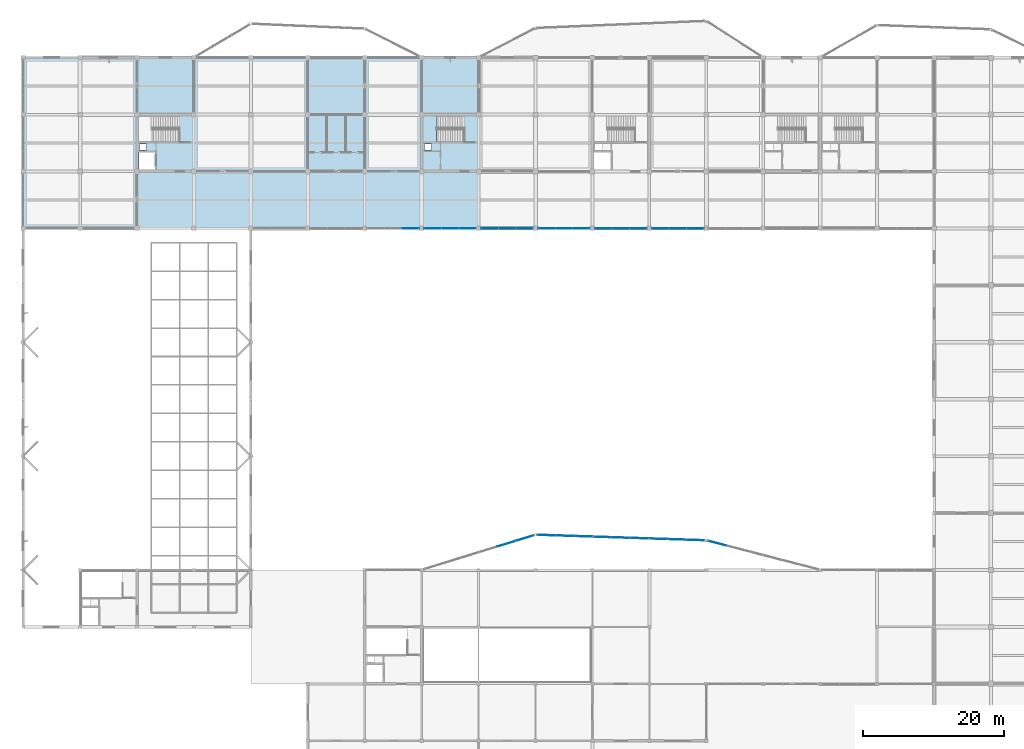
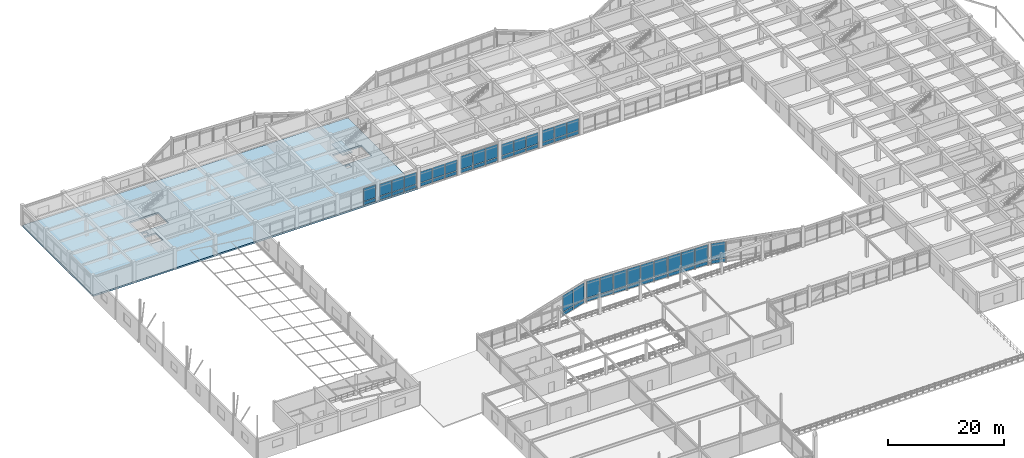
# One storey, part 54 of 89: 56 plates, 2 slabs, 12 elements without a shape of their own.
"""IFC4 building model written with IfcOpenShell, lengths in metres."""

from ifc_helpers import new_model, si_unit, direction, frame, origin, origin_2d, place, context, subcontext, project, spatial, polyline, rectangle, outline, extrude, material, layer, layer_set, type_object, element, aggregate, save


model = new_model("IFC4")

# Units and contexts
model_context = context("Model", 3, precision=1e-05, world=origin(), true_north=direction((0.0, 1.0)))
body_context = subcontext(model_context, "Body", "Model", "MODEL_VIEW")
ifc_project = project(units=[si_unit("LENGTHUNIT", "METRE"), si_unit("AREAUNIT", "SQUARE_METRE"), si_unit("VOLUMEUNIT", "CUBIC_METRE"), si_unit("PLANEANGLEUNIT", "RADIAN"), si_unit("MASSUNIT", "GRAM", prefix="KILO")], contexts=[model_context])

# Site, building, storey
site_placement = place(None, origin())
site = spatial("IfcSite", under=ifc_project, at=site_placement, CompositionType="ELEMENT")
building_placement = place(site_placement, origin())
building = spatial("IfcBuilding", under=site, at=building_placement, Name="Vaudrelin Polytechnic", CompositionType="ELEMENT")
storey_placement = place(building_placement, frame((0.0, 0.0, 9.68994140625)))
storey = spatial("IfcBuildingStorey", under=building, at=storey_placement, Name="L02", CompositionType="ELEMENT", Elevation=9.68994140625)

# Curtain wall, plate
ifc_material_1 = material(Name="Thermally broken anodised aluminium AA 6063-T6 and low-e triple glazing", Category="aluminium")
ifc_layer_1 = layer(ifc_material_1, 0.199951171875)
ifc_layer_set_1 = layer_set([ifc_layer_1], Name="Thermally broken anodised aluminium AA 6063-T6 and low-e triple glazing")
curtain_wall_type_1 = type_object("IfcCurtainWallType", Name="CW-CW-LIB", PredefinedType="USERDEFINED", material=ifc_layer_set_1)
curtain_wall_1_placement = place(storey_placement, origin())
curtain_wall_1 = element("IfcCurtainWall", 1, at=curtain_wall_1_placement, inside=storey, type_object=curtain_wall_type_1, Name="Curtain wall L02 CT_N_02", ObjectType="CURTAIN WALL", PredefinedType="USERDEFINED")
ifc_material_2 = material(Name="Insulated ceramic-frit spandrel glass panel", Category="glass")
ifc_layer_2 = layer(ifc_material_2, 0.052001953125)
ifc_layer_set_2 = layer_set([ifc_layer_2], Name="Insulated ceramic-frit spandrel glass panel")
plate_type_1 = type_object("IfcPlateType", Name="PLT-GLZ-SPAND", PredefinedType="CURTAIN_PANEL", material=ifc_layer_set_2)
plate_1_placement = place(storey_placement, frame((55.134765625, 97.199951171875, 0.08984375), z_axis=(0.0, 0.0, 1.0), x_axis=(1.0, 0.0, 0.0)))
plate_1 = element("IfcPlate", 2, at=plate_1_placement, type_object=plate_type_1, Name="CT_N_02 spandrel panel 3", PredefinedType="CURTAIN_PANEL", context=body_context, shape_type="SweptSolid", body=[
    extrude(rectangle(XDim=2.384765625, YDim=0.052001953125, at=origin_2d()), origin(), (0.0, 0.0, 1.0), 0.699951171875),
])

# Curtain wall, plates
curtain_wall_2_placement = place(storey_placement, origin())
curtain_wall_2 = element("IfcCurtainWall", 3, at=curtain_wall_2_placement, inside=storey, type_object=curtain_wall_type_1, Name="Curtain wall L02 CT_N_03", ObjectType="CURTAIN WALL", PredefinedType="USERDEFINED")
plate_2_placement = place(storey_placement, frame((58.265380859375, 97.199951171875, 0.08984375), z_axis=(0.0, 0.0, 1.0), x_axis=(1.0, 0.0, 0.0)))
plate_2 = element("IfcPlate", 4, at=plate_2_placement, type_object=plate_type_1, Name="CT_N_03 spandrel panel 1", PredefinedType="CURTAIN_PANEL", context=body_context, shape_type="SweptSolid", body=[
    extrude(rectangle(XDim=2.384765625, YDim=0.052001953125, at=origin_2d()), origin(), (0.0, 0.0, 1.0), 0.699951171875),
])
plate_3_placement = place(storey_placement, frame((60.75, 97.199951171875, 0.08984375), z_axis=(0.0, 0.0, 1.0), x_axis=(1.0, 0.0, 0.0)))
plate_3 = element("IfcPlate", 5, at=plate_3_placement, type_object=plate_type_1, Name="CT_N_03 spandrel panel 2", PredefinedType="CURTAIN_PANEL", context=body_context, shape_type="SweptSolid", body=[
    extrude(rectangle(XDim=2.384765625, YDim=0.052001953125, at=origin_2d()), origin(), (0.0, 0.0, 1.0), 0.699951171875),
])
plate_4_placement = place(storey_placement, frame((63.234619140625, 97.199951171875, 0.08984375), z_axis=(0.0, 0.0, 1.0), x_axis=(1.0, 0.0, 0.0)))
plate_4 = element("IfcPlate", 6, at=plate_4_placement, type_object=plate_type_1, Name="CT_N_03 spandrel panel 3", PredefinedType="CURTAIN_PANEL", context=body_context, shape_type="SweptSolid", body=[
    extrude(rectangle(XDim=2.384765625, YDim=0.052001953125, at=origin_2d()), origin(), (0.0, 0.0, 1.0), 0.699951171875),
])

curtain_wall_3_placement = place(storey_placement, origin())
curtain_wall_3 = element("IfcCurtainWall", 7, at=curtain_wall_3_placement, inside=storey, type_object=curtain_wall_type_1, Name="Curtain wall L02 CT_N_04", ObjectType="CURTAIN WALL", PredefinedType="USERDEFINED")
plate_5_placement = place(storey_placement, frame((66.365234375, 97.199951171875, 0.08984375), z_axis=(0.0, 0.0, 1.0), x_axis=(1.0, 0.0, 0.0)))
plate_5 = element("IfcPlate", 8, at=plate_5_placement, type_object=plate_type_1, Name="CT_N_04 spandrel panel 1", PredefinedType="CURTAIN_PANEL", context=body_context, shape_type="SweptSolid", body=[
    extrude(rectangle(XDim=2.384765625, YDim=0.052001953125, at=origin_2d()), origin(), (0.0, 0.0, 1.0), 0.699951171875),
])
plate_6_placement = place(storey_placement, frame((68.85009765625, 97.199951171875, 0.08984375), z_axis=(0.0, 0.0, 1.0), x_axis=(1.0, 0.0, 0.0)))
plate_6 = element("IfcPlate", 9, at=plate_6_placement, type_object=plate_type_1, Name="CT_N_04 spandrel panel 2", PredefinedType="CURTAIN_PANEL", context=body_context, shape_type="SweptSolid", body=[
    extrude(rectangle(XDim=2.384765625, YDim=0.052001953125, at=origin_2d()), origin(), (0.0, 0.0, 1.0), 0.699951171875),
])
plate_7_placement = place(storey_placement, frame((71.334716796875, 97.199951171875, 0.08984375), z_axis=(0.0, 0.0, 1.0), x_axis=(1.0, 0.0, 0.0)))
plate_7 = element("IfcPlate", 10, at=plate_7_placement, type_object=plate_type_1, Name="CT_N_04 spandrel panel 3", PredefinedType="CURTAIN_PANEL", context=body_context, shape_type="SweptSolid", body=[
    extrude(rectangle(XDim=2.384765625, YDim=0.052001953125, at=origin_2d()), origin(), (0.0, 0.0, 1.0), 0.699951171875),
])

curtain_wall_4_placement = place(storey_placement, origin())
curtain_wall_4 = element("IfcCurtainWall", 11, at=curtain_wall_4_placement, inside=storey, type_object=curtain_wall_type_1, Name="Curtain wall L02 CT_N_05", ObjectType="CURTAIN WALL", PredefinedType="USERDEFINED")
plate_8_placement = place(storey_placement, frame((74.46533203125, 97.199951171875, 0.08984375), z_axis=(0.0, 0.0, 1.0), x_axis=(1.0, 0.0, 0.0)))
plate_8 = element("IfcPlate", 12, at=plate_8_placement, type_object=plate_type_1, Name="CT_N_05 spandrel panel 1", PredefinedType="CURTAIN_PANEL", context=body_context, shape_type="SweptSolid", body=[
    extrude(rectangle(XDim=2.384765625, YDim=0.052001953125, at=origin_2d()), origin(), (0.0, 0.0, 1.0), 0.699951171875),
])
plate_9_placement = place(storey_placement, frame((76.949951171875, 97.199951171875, 0.08984375), z_axis=(0.0, 0.0, 1.0), x_axis=(1.0, 0.0, 0.0)))
plate_9 = element("IfcPlate", 13, at=plate_9_placement, type_object=plate_type_1, Name="CT_N_05 spandrel panel 2", PredefinedType="CURTAIN_PANEL", context=body_context, shape_type="SweptSolid", body=[
    extrude(rectangle(XDim=2.384765625, YDim=0.052001953125, at=origin_2d()), origin(), (0.0, 0.0, 1.0), 0.699951171875),
])
plate_10_placement = place(storey_placement, frame((79.434814453125, 97.199951171875, 0.08984375), z_axis=(0.0, 0.0, 1.0), x_axis=(1.0, 0.0, 0.0)))
plate_10 = element("IfcPlate", 14, at=plate_10_placement, type_object=plate_type_1, Name="CT_N_05 spandrel panel 3", PredefinedType="CURTAIN_PANEL", context=body_context, shape_type="SweptSolid", body=[
    extrude(rectangle(XDim=2.384765625, YDim=0.052001953125, at=origin_2d()), origin(), (0.0, 0.0, 1.0), 0.699951171875),
])

curtain_wall_5_placement = place(storey_placement, origin())
curtain_wall_5 = element("IfcCurtainWall", 15, at=curtain_wall_5_placement, inside=storey, type_object=curtain_wall_type_1, Name="Curtain wall L02 CT_N_06", ObjectType="CURTAIN WALL", PredefinedType="USERDEFINED")
plate_11_placement = place(storey_placement, frame((82.565185546875, 97.199951171875, 0.08984375), z_axis=(0.0, 0.0, 1.0), x_axis=(1.0, 0.0, 0.0)))
plate_11 = element("IfcPlate", 16, at=plate_11_placement, type_object=plate_type_1, Name="CT_N_06 spandrel panel 1", PredefinedType="CURTAIN_PANEL", context=body_context, shape_type="SweptSolid", body=[
    extrude(rectangle(XDim=2.384765625, YDim=0.052001953125, at=origin_2d()), origin(), (0.0, 0.0, 1.0), 0.699951171875),
])
plate_12_placement = place(storey_placement, frame((85.050048828125, 97.199951171875, 0.08984375), z_axis=(0.0, 0.0, 1.0), x_axis=(1.0, 0.0, 0.0)))
plate_12 = element("IfcPlate", 17, at=plate_12_placement, type_object=plate_type_1, Name="CT_N_06 spandrel panel 2", PredefinedType="CURTAIN_PANEL", context=body_context, shape_type="SweptSolid", body=[
    extrude(rectangle(XDim=2.384765625, YDim=0.052001953125, at=origin_2d()), origin(), (0.0, 0.0, 1.0), 0.699951171875),
])
plate_13_placement = place(storey_placement, frame((87.53466796875, 97.199951171875, 0.08984375), z_axis=(0.0, 0.0, 1.0), x_axis=(1.0, 0.0, 0.0)))
plate_13 = element("IfcPlate", 18, at=plate_13_placement, type_object=plate_type_1, Name="CT_N_06 spandrel panel 3", PredefinedType="CURTAIN_PANEL", context=body_context, shape_type="SweptSolid", body=[
    extrude(rectangle(XDim=2.384765625, YDim=0.052001953125, at=origin_2d()), origin(), (0.0, 0.0, 1.0), 0.699951171875),
])

curtain_wall_6_placement = place(storey_placement, origin())
curtain_wall_6 = element("IfcCurtainWall", 19, at=curtain_wall_6_placement, inside=storey, type_object=curtain_wall_type_1, Name="Curtain wall L02 CT_N_07", ObjectType="CURTAIN WALL", PredefinedType="USERDEFINED")
plate_14_placement = place(storey_placement, frame((90.665283203125, 97.199951171875, 0.08984375), z_axis=(0.0, 0.0, 1.0), x_axis=(1.0, 0.0, 0.0)))
plate_14 = element("IfcPlate", 20, at=plate_14_placement, type_object=plate_type_1, Name="CT_N_07 spandrel panel 1", PredefinedType="CURTAIN_PANEL", context=body_context, shape_type="SweptSolid", body=[
    extrude(rectangle(XDim=2.384765625, YDim=0.052001953125, at=origin_2d()), origin(), (0.0, 0.0, 1.0), 0.699951171875),
])
plate_15_placement = place(storey_placement, frame((93.14990234375, 97.199951171875, 0.08984375), z_axis=(0.0, 0.0, 1.0), x_axis=(1.0, 0.0, 0.0)))
plate_15 = element("IfcPlate", 21, at=plate_15_placement, type_object=plate_type_1, Name="CT_N_07 spandrel panel 2", PredefinedType="CURTAIN_PANEL", context=body_context, shape_type="SweptSolid", body=[
    extrude(rectangle(XDim=2.384765625, YDim=0.052001953125, at=origin_2d()), origin(), (0.0, 0.0, 1.0), 0.699951171875),
])
plate_16_placement = place(storey_placement, frame((95.634765625, 97.199951171875, 0.08984375), z_axis=(0.0, 0.0, 1.0), x_axis=(1.0, 0.0, 0.0)))
plate_16 = element("IfcPlate", 22, at=plate_16_placement, type_object=plate_type_1, Name="CT_N_07 spandrel panel 3", PredefinedType="CURTAIN_PANEL", context=body_context, shape_type="SweptSolid", body=[
    extrude(rectangle(XDim=2.384765625, YDim=0.052001953125, at=origin_2d()), origin(), (0.0, 0.0, 1.0), 0.699951171875),
])

ifc_layer_3 = layer(ifc_material_1, 0.199951171875)
ifc_layer_set_3 = layer_set([ifc_layer_3], Name="Thermally broken anodised aluminium AA 6063-T6 and low-e triple glazing")
curtain_wall_type_2 = type_object("IfcCurtainWallType", Name="CW-CW-WG", PredefinedType="USERDEFINED", material=ifc_layer_set_3)
curtain_wall_7_placement = place(storey_placement, origin())
curtain_wall_7 = element("IfcCurtainWall", 23, at=curtain_wall_7_placement, inside=storey, type_object=curtain_wall_type_2, Name="Curtain wall L02 CT_OR1_1_1", ObjectType="CURTAIN WALL", PredefinedType="USERDEFINED")
plate_17_placement = place(storey_placement, frame((68.751220703125, 52.319580078125, -0.5400390625), z_axis=(0.0, 0.0, 1.0), x_axis=(0.955522441596, 0.294918401608, 0.0)))
plate_17 = element("IfcPlate", 24, at=plate_17_placement, type_object=plate_type_1, Name="CT_OR1_1_1 spandrel panel 2", PredefinedType="CURTAIN_PANEL", context=body_context, shape_type="SweptSolid", body=[
    extrude(rectangle(XDim=2.631591796875, YDim=0.052001953125, at=origin_2d()), origin(), (0.0, 0.0, 1.0), 0.699951171875),
])
plate_18_placement = place(storey_placement, frame((71.361328125, 53.125, -0.5400390625), z_axis=(0.0, 0.0, 1.0), x_axis=(0.955522441596, 0.294918401608, 0.0)))
plate_18 = element("IfcPlate", 25, at=plate_18_placement, type_object=plate_type_1, Name="CT_OR1_1_1 spandrel panel 3", PredefinedType="CURTAIN_PANEL", context=body_context, shape_type="SweptSolid", body=[
    extrude(rectangle(XDim=2.631591796875, YDim=0.052001953125, at=origin_2d()), origin(), (0.0, 0.0, 1.0), 0.699951171875),
])

curtain_wall_8_placement = place(storey_placement, origin())
curtain_wall_8 = element("IfcCurtainWall", 26, at=curtain_wall_8_placement, inside=storey, type_object=curtain_wall_type_2, Name="Curtain wall L02 CT_OR1_2_0", ObjectType="CURTAIN WALL", PredefinedType="USERDEFINED")
plate_19_placement = place(storey_placement, frame((74.461181640625, 53.548583984375, -0.5400390625), z_axis=(0.0, 0.0, 1.0), x_axis=(0.999458331652, -0.032909623096, 0.0)))
plate_19 = element("IfcPlate", 27, at=plate_19_placement, type_object=plate_type_1, Name="CT_OR1_2_0 spandrel panel 1", PredefinedType="CURTAIN_PANEL", context=body_context, shape_type="SweptSolid", body=[
    extrude(rectangle(XDim=2.548583984375, YDim=0.052001953125, at=origin_2d()), origin(), (0.0, 0.0, 1.0), 0.699951171875),
])
plate_20_placement = place(storey_placement, frame((77.1083984375, 53.46142578125, -0.5400390625), z_axis=(0.0, 0.0, 1.0), x_axis=(0.999458331652, -0.032909623096, 0.0)))
plate_20 = element("IfcPlate", 28, at=plate_20_placement, type_object=plate_type_1, Name="CT_OR1_2_0 spandrel panel 2", PredefinedType="CURTAIN_PANEL", context=body_context, shape_type="SweptSolid", body=[
    extrude(rectangle(XDim=2.548583984375, YDim=0.052001953125, at=origin_2d()), origin(), (0.0, 0.0, 1.0), 0.699951171875),
])
plate_21_placement = place(storey_placement, frame((79.755615234375, 53.374267578125, -0.5400390625), z_axis=(0.0, 0.0, 1.0), x_axis=(0.999458331652, -0.032909623096, 0.0)))
plate_21 = element("IfcPlate", 29, at=plate_21_placement, type_object=plate_type_1, Name="CT_OR1_2_0 spandrel panel 3", PredefinedType="CURTAIN_PANEL", context=body_context, shape_type="SweptSolid", body=[
    extrude(rectangle(XDim=2.548583984375, YDim=0.052001953125, at=origin_2d()), origin(), (0.0, 0.0, 1.0), 0.699951171875),
])

curtain_wall_9_placement = place(storey_placement, origin())
curtain_wall_9 = element("IfcCurtainWall", 30, at=curtain_wall_9_placement, inside=storey, type_object=curtain_wall_type_2, Name="Curtain wall L02 CT_OR1_2_1", ObjectType="CURTAIN WALL", PredefinedType="USERDEFINED")
plate_22_placement = place(storey_placement, frame((82.40283203125, 53.287109375, -0.5400390625), z_axis=(0.0, 0.0, 1.0), x_axis=(0.999458731894, -0.032897465558, 0.0)))
plate_22 = element("IfcPlate", 31, at=plate_22_placement, type_object=plate_type_1, Name="CT_OR1_2_1 spandrel panel 1", PredefinedType="CURTAIN_PANEL", context=body_context, shape_type="SweptSolid", body=[
    extrude(rectangle(XDim=2.548583984375, YDim=0.052001953125, at=origin_2d()), origin(), (0.0, 0.0, 1.0), 0.699951171875),
])
plate_23_placement = place(storey_placement, frame((85.050048828125, 53.199951171875, -0.5400390625), z_axis=(0.0, 0.0, 1.0), x_axis=(0.999458731894, -0.032897465558, 0.0)))
plate_23 = element("IfcPlate", 32, at=plate_23_placement, type_object=plate_type_1, Name="CT_OR1_2_1 spandrel panel 2", PredefinedType="CURTAIN_PANEL", context=body_context, shape_type="SweptSolid", body=[
    extrude(rectangle(XDim=2.548583984375, YDim=0.052001953125, at=origin_2d()), origin(), (0.0, 0.0, 1.0), 0.699951171875),
])
plate_24_placement = place(storey_placement, frame((87.697265625, 53.11279296875, -0.5400390625), z_axis=(0.0, 0.0, 1.0), x_axis=(0.999458731894, -0.032897465558, 0.0)))
plate_24 = element("IfcPlate", 33, at=plate_24_placement, type_object=plate_type_1, Name="CT_OR1_2_1 spandrel panel 3", PredefinedType="CURTAIN_PANEL", context=body_context, shape_type="SweptSolid", body=[
    extrude(rectangle(XDim=2.548583984375, YDim=0.052001953125, at=origin_2d()), origin(), (0.0, 0.0, 1.0), 0.699951171875),
])

curtain_wall_10_placement = place(storey_placement, origin())
curtain_wall_10 = element("IfcCurtainWall", 34, at=curtain_wall_10_placement, inside=storey, type_object=curtain_wall_type_2, Name="Curtain wall L02 CT_OR1_2_2", ObjectType="CURTAIN WALL", PredefinedType="USERDEFINED")
plate_25_placement = place(storey_placement, frame((90.344482421875, 53.025634765625, -0.5400390625), z_axis=(0.0, 0.0, 1.0), x_axis=(0.999458331652, -0.032909623096, 0.0)))
plate_25 = element("IfcPlate", 35, at=plate_25_placement, type_object=plate_type_1, Name="CT_OR1_2_2 spandrel panel 1", PredefinedType="CURTAIN_PANEL", context=body_context, shape_type="SweptSolid", body=[
    extrude(rectangle(XDim=2.548583984375, YDim=0.052001953125, at=origin_2d()), origin(), (0.0, 0.0, 1.0), 0.699951171875),
])
plate_26_placement = place(storey_placement, frame((92.99169921875, 52.9384765625, -0.5400390625), z_axis=(0.0, 0.0, 1.0), x_axis=(0.999458331652, -0.032909623096, 0.0)))
plate_26 = element("IfcPlate", 36, at=plate_26_placement, type_object=plate_type_1, Name="CT_OR1_2_2 spandrel panel 2", PredefinedType="CURTAIN_PANEL", context=body_context, shape_type="SweptSolid", body=[
    extrude(rectangle(XDim=2.548583984375, YDim=0.052001953125, at=origin_2d()), origin(), (0.0, 0.0, 1.0), 0.699951171875),
])
plate_27_placement = place(storey_placement, frame((95.638916015625, 52.851318359375, -0.5400390625), z_axis=(0.0, 0.0, 1.0), x_axis=(0.999458331652, -0.032909623096, 0.0)))
plate_27 = element("IfcPlate", 37, at=plate_27_placement, type_object=plate_type_1, Name="CT_OR1_2_2 spandrel panel 3", PredefinedType="CURTAIN_PANEL", context=body_context, shape_type="SweptSolid", body=[
    extrude(rectangle(XDim=2.548583984375, YDim=0.052001953125, at=origin_2d()), origin(), (0.0, 0.0, 1.0), 0.699951171875),
])

# Curtain wall, plate
curtain_wall_11_placement = place(storey_placement, origin())
curtain_wall_11 = element("IfcCurtainWall", 38, at=curtain_wall_11_placement, inside=storey, type_object=curtain_wall_type_2, Name="Curtain wall L02 CT_OR1_3_0", ObjectType="CURTAIN WALL", PredefinedType="USERDEFINED")
plate_28_placement = place(storey_placement, frame((98.739501953125, 52.40087890625, -0.5400390625), z_axis=(0.0, 0.0, 1.0), x_axis=(0.967997343156, -0.250960442388, 0.0)))
plate_28 = element("IfcPlate", 39, at=plate_28_placement, type_object=plate_type_1, Name="CT_OR1_3_0 spandrel panel 1", PredefinedType="CURTAIN_PANEL", context=body_context, shape_type="SweptSolid", body=[
    extrude(rectangle(XDim=2.595947265625, YDim=0.052001953125, at=origin_2d()), origin(), (0.0, 0.0, 1.0), 0.699951171875),
])

# Plate
ifc_material_3 = material(Name="Triple low-e argon insulated glazing unit", Category="glass")
ifc_layer_4 = layer(ifc_material_3, 0.0439453125)
ifc_layer_set_4 = layer_set([ifc_layer_4], Name="Triple low-e argon insulated glazing unit")
plate_type_2 = type_object("IfcPlateType", Name="PLT-GLZ-TRIPLE", PredefinedType="CURTAIN_PANEL", material=ifc_layer_set_4)
plate_29_placement = place(storey_placement, frame((55.134765625, 97.199951171875, 0.900146484375), z_axis=(0.0, 0.0, 1.0), x_axis=(1.0, 0.0, 0.0)))
plate_29 = element("IfcPlate", 40, at=plate_29_placement, type_object=plate_type_2, Name="CT_N_02 vision panel 3", PredefinedType="CURTAIN_PANEL", context=body_context, shape_type="SweptSolid", body=[
    extrude(rectangle(XDim=2.384765625, YDim=0.0439453125, at=origin_2d()), origin(), (0.0, 0.0, 1.0), 2.6669921875),
])

aggregate(curtain_wall_1, [plate_1, plate_29])

plate_30_placement = place(storey_placement, frame((58.265380859375, 97.199951171875, 0.900146484375), z_axis=(0.0, 0.0, 1.0), x_axis=(1.0, 0.0, 0.0)))
plate_30 = element("IfcPlate", 41, at=plate_30_placement, type_object=plate_type_2, Name="CT_N_03 vision panel 1", PredefinedType="CURTAIN_PANEL", context=body_context, shape_type="SweptSolid", body=[
    extrude(rectangle(XDim=2.384765625, YDim=0.0439453125, at=origin_2d()), origin(), (0.0, 0.0, 1.0), 2.48193359375),
])

plate_31_placement = place(storey_placement, frame((60.75, 97.199951171875, 0.900146484375), z_axis=(0.0, 0.0, 1.0), x_axis=(1.0, 0.0, 0.0)))
plate_31 = element("IfcPlate", 42, at=plate_31_placement, type_object=plate_type_2, Name="CT_N_03 vision panel 2", PredefinedType="CURTAIN_PANEL", context=body_context, shape_type="SweptSolid", body=[
    extrude(rectangle(XDim=2.384765625, YDim=0.0439453125, at=origin_2d()), origin(), (0.0, 0.0, 1.0), 2.48193359375),
])

plate_32_placement = place(storey_placement, frame((63.234619140625, 97.199951171875, 0.900146484375), z_axis=(0.0, 0.0, 1.0), x_axis=(1.0, 0.0, 0.0)))
plate_32 = element("IfcPlate", 43, at=plate_32_placement, type_object=plate_type_2, Name="CT_N_03 vision panel 3", PredefinedType="CURTAIN_PANEL", context=body_context, shape_type="SweptSolid", body=[
    extrude(rectangle(XDim=2.384765625, YDim=0.0439453125, at=origin_2d()), origin(), (0.0, 0.0, 1.0), 2.48193359375),
])

aggregate(curtain_wall_2, [plate_2, plate_30, plate_3, plate_31, plate_4, plate_32])

plate_33_placement = place(storey_placement, frame((66.365234375, 97.199951171875, 0.900146484375), z_axis=(0.0, 0.0, 1.0), x_axis=(1.0, 0.0, 0.0)))
plate_33 = element("IfcPlate", 44, at=plate_33_placement, type_object=plate_type_2, Name="CT_N_04 vision panel 1", PredefinedType="CURTAIN_PANEL", context=body_context, shape_type="SweptSolid", body=[
    extrude(rectangle(XDim=2.384765625, YDim=0.0439453125, at=origin_2d()), origin(), (0.0, 0.0, 1.0), 2.2919921875),
])

plate_34_placement = place(storey_placement, frame((68.85009765625, 97.199951171875, 0.900146484375), z_axis=(0.0, 0.0, 1.0), x_axis=(1.0, 0.0, 0.0)))
plate_34 = element("IfcPlate", 45, at=plate_34_placement, type_object=plate_type_2, Name="CT_N_04 vision panel 2", PredefinedType="CURTAIN_PANEL", context=body_context, shape_type="SweptSolid", body=[
    extrude(rectangle(XDim=2.384765625, YDim=0.0439453125, at=origin_2d()), origin(), (0.0, 0.0, 1.0), 2.2919921875),
])

plate_35_placement = place(storey_placement, frame((71.334716796875, 97.199951171875, 0.900146484375), z_axis=(0.0, 0.0, 1.0), x_axis=(1.0, 0.0, 0.0)))
plate_35 = element("IfcPlate", 46, at=plate_35_placement, type_object=plate_type_2, Name="CT_N_04 vision panel 3", PredefinedType="CURTAIN_PANEL", context=body_context, shape_type="SweptSolid", body=[
    extrude(rectangle(XDim=2.384765625, YDim=0.0439453125, at=origin_2d()), origin(), (0.0, 0.0, 1.0), 2.2919921875),
])

aggregate(curtain_wall_3, [plate_5, plate_33, plate_6, plate_34, plate_7, plate_35])

plate_36_placement = place(storey_placement, frame((74.46533203125, 97.199951171875, 0.900146484375), z_axis=(0.0, 0.0, 1.0), x_axis=(1.0, 0.0, 0.0)))
plate_36 = element("IfcPlate", 47, at=plate_36_placement, type_object=plate_type_2, Name="CT_N_05 vision panel 1", PredefinedType="CURTAIN_PANEL", context=body_context, shape_type="SweptSolid", body=[
    extrude(rectangle(XDim=2.384765625, YDim=0.0439453125, at=origin_2d()), origin(), (0.0, 0.0, 1.0), 2.72705078125),
])

plate_37_placement = place(storey_placement, frame((76.949951171875, 97.199951171875, 0.900146484375), z_axis=(0.0, 0.0, 1.0), x_axis=(1.0, 0.0, 0.0)))
plate_37 = element("IfcPlate", 48, at=plate_37_placement, type_object=plate_type_2, Name="CT_N_05 vision panel 2", PredefinedType="CURTAIN_PANEL", context=body_context, shape_type="SweptSolid", body=[
    extrude(rectangle(XDim=2.384765625, YDim=0.0439453125, at=origin_2d()), origin(), (0.0, 0.0, 1.0), 2.72705078125),
])

plate_38_placement = place(storey_placement, frame((79.434814453125, 97.199951171875, 0.900146484375), z_axis=(0.0, 0.0, 1.0), x_axis=(1.0, 0.0, 0.0)))
plate_38 = element("IfcPlate", 49, at=plate_38_placement, type_object=plate_type_2, Name="CT_N_05 vision panel 3", PredefinedType="CURTAIN_PANEL", context=body_context, shape_type="SweptSolid", body=[
    extrude(rectangle(XDim=2.384765625, YDim=0.0439453125, at=origin_2d()), origin(), (0.0, 0.0, 1.0), 2.72705078125),
])

aggregate(curtain_wall_4, [plate_8, plate_36, plate_9, plate_37, plate_10, plate_38])

plate_39_placement = place(storey_placement, frame((82.565185546875, 97.199951171875, 0.89990234375), z_axis=(0.0, 0.0, 1.0), x_axis=(1.0, 0.0, 0.0)))
plate_39 = element("IfcPlate", 50, at=plate_39_placement, type_object=plate_type_2, Name="CT_N_06 vision panel 1", PredefinedType="CURTAIN_PANEL", context=body_context, shape_type="SweptSolid", body=[
    extrude(rectangle(XDim=2.384765625, YDim=0.0439453125, at=origin_2d()), origin(), (0.0, 0.0, 1.0), 2.39208984375),
])

plate_40_placement = place(storey_placement, frame((85.050048828125, 97.199951171875, 0.89990234375), z_axis=(0.0, 0.0, 1.0), x_axis=(1.0, 0.0, 0.0)))
plate_40 = element("IfcPlate", 51, at=plate_40_placement, type_object=plate_type_2, Name="CT_N_06 vision panel 2", PredefinedType="CURTAIN_PANEL", context=body_context, shape_type="SweptSolid", body=[
    extrude(rectangle(XDim=2.384765625, YDim=0.0439453125, at=origin_2d()), origin(), (0.0, 0.0, 1.0), 2.39208984375),
])

plate_41_placement = place(storey_placement, frame((87.53466796875, 97.199951171875, 0.89990234375), z_axis=(0.0, 0.0, 1.0), x_axis=(1.0, 0.0, 0.0)))
plate_41 = element("IfcPlate", 52, at=plate_41_placement, type_object=plate_type_2, Name="CT_N_06 vision panel 3", PredefinedType="CURTAIN_PANEL", context=body_context, shape_type="SweptSolid", body=[
    extrude(rectangle(XDim=2.384765625, YDim=0.0439453125, at=origin_2d()), origin(), (0.0, 0.0, 1.0), 2.39208984375),
])

aggregate(curtain_wall_5, [plate_11, plate_39, plate_12, plate_40, plate_13, plate_41])

plate_42_placement = place(storey_placement, frame((90.665283203125, 97.199951171875, 0.89990234375), z_axis=(0.0, 0.0, 1.0), x_axis=(1.0, 0.0, 0.0)))
plate_42 = element("IfcPlate", 53, at=plate_42_placement, type_object=plate_type_2, Name="CT_N_07 vision panel 1", PredefinedType="CURTAIN_PANEL", context=body_context, shape_type="SweptSolid", body=[
    extrude(rectangle(XDim=2.384765625, YDim=0.0439453125, at=origin_2d()), origin(), (0.0, 0.0, 1.0), 2.491943359375),
])

plate_43_placement = place(storey_placement, frame((93.14990234375, 97.199951171875, 0.89990234375), z_axis=(0.0, 0.0, 1.0), x_axis=(1.0, 0.0, 0.0)))
plate_43 = element("IfcPlate", 54, at=plate_43_placement, type_object=plate_type_2, Name="CT_N_07 vision panel 2", PredefinedType="CURTAIN_PANEL", context=body_context, shape_type="SweptSolid", body=[
    extrude(rectangle(XDim=2.384765625, YDim=0.0439453125, at=origin_2d()), origin(), (0.0, 0.0, 1.0), 2.491943359375),
])

plate_44_placement = place(storey_placement, frame((95.634765625, 97.199951171875, 0.89990234375), z_axis=(0.0, 0.0, 1.0), x_axis=(1.0, 0.0, 0.0)))
plate_44 = element("IfcPlate", 55, at=plate_44_placement, type_object=plate_type_2, Name="CT_N_07 vision panel 3", PredefinedType="CURTAIN_PANEL", context=body_context, shape_type="SweptSolid", body=[
    extrude(rectangle(XDim=2.384765625, YDim=0.0439453125, at=origin_2d()), origin(), (0.0, 0.0, 1.0), 2.491943359375),
])

aggregate(curtain_wall_6, [plate_14, plate_42, plate_15, plate_43, plate_16, plate_44])

plate_45_placement = place(storey_placement, frame((68.751220703125, 52.319580078125, 0.27001953125), z_axis=(0.0, 0.0, 1.0), x_axis=(0.955522441596, 0.294918401608, 0.0)))
plate_45 = element("IfcPlate", 56, at=plate_45_placement, type_object=plate_type_2, Name="CT_OR1_1_1 vision panel 2", PredefinedType="CURTAIN_PANEL", context=body_context, shape_type="SweptSolid", body=[
    extrude(rectangle(XDim=2.631591796875, YDim=0.0439453125, at=origin_2d()), origin(), (0.0, 0.0, 1.0), 3.43994140625),
])

plate_46_placement = place(storey_placement, frame((71.361328125, 53.125, 0.27001953125), z_axis=(0.0, 0.0, 1.0), x_axis=(0.955522441596, 0.294918401608, 0.0)))
plate_46 = element("IfcPlate", 57, at=plate_46_placement, type_object=plate_type_2, Name="CT_OR1_1_1 vision panel 3", PredefinedType="CURTAIN_PANEL", context=body_context, shape_type="SweptSolid", body=[
    extrude(rectangle(XDim=2.631591796875, YDim=0.0439453125, at=origin_2d()), origin(), (0.0, 0.0, 1.0), 3.43994140625),
])

aggregate(curtain_wall_7, [plate_17, plate_45, plate_18, plate_46])

plate_47_placement = place(storey_placement, frame((74.461181640625, 53.548583984375, 0.27001953125), z_axis=(0.0, 0.0, 1.0), x_axis=(0.999458331652, -0.032909623096, 0.0)))
plate_47 = element("IfcPlate", 58, at=plate_47_placement, type_object=plate_type_2, Name="CT_OR1_2_0 vision panel 1", PredefinedType="CURTAIN_PANEL", context=body_context, shape_type="SweptSolid", body=[
    extrude(rectangle(XDim=2.548583984375, YDim=0.0439453125, at=origin_2d()), origin(), (0.0, 0.0, 1.0), 3.43994140625),
])

plate_48_placement = place(storey_placement, frame((77.1083984375, 53.46142578125, 0.27001953125), z_axis=(0.0, 0.0, 1.0), x_axis=(0.999458331652, -0.032909623096, 0.0)))
plate_48 = element("IfcPlate", 59, at=plate_48_placement, type_object=plate_type_2, Name="CT_OR1_2_0 vision panel 2", PredefinedType="CURTAIN_PANEL", context=body_context, shape_type="SweptSolid", body=[
    extrude(rectangle(XDim=2.548583984375, YDim=0.0439453125, at=origin_2d()), origin(), (0.0, 0.0, 1.0), 3.43994140625),
])

plate_49_placement = place(storey_placement, frame((79.755615234375, 53.374267578125, 0.27001953125), z_axis=(0.0, 0.0, 1.0), x_axis=(0.999458331652, -0.032909623096, 0.0)))
plate_49 = element("IfcPlate", 60, at=plate_49_placement, type_object=plate_type_2, Name="CT_OR1_2_0 vision panel 3", PredefinedType="CURTAIN_PANEL", context=body_context, shape_type="SweptSolid", body=[
    extrude(rectangle(XDim=2.548583984375, YDim=0.0439453125, at=origin_2d()), origin(), (0.0, 0.0, 1.0), 3.43994140625),
])

aggregate(curtain_wall_8, [plate_19, plate_47, plate_20, plate_48, plate_21, plate_49])

plate_50_placement = place(storey_placement, frame((82.40283203125, 53.287109375, 0.27001953125), z_axis=(0.0, 0.0, 1.0), x_axis=(0.999458731894, -0.032897465558, 0.0)))
plate_50 = element("IfcPlate", 61, at=plate_50_placement, type_object=plate_type_2, Name="CT_OR1_2_1 vision panel 1", PredefinedType="CURTAIN_PANEL", context=body_context, shape_type="SweptSolid", body=[
    extrude(rectangle(XDim=2.548583984375, YDim=0.0439453125, at=origin_2d()), origin(), (0.0, 0.0, 1.0), 3.43994140625),
])

plate_51_placement = place(storey_placement, frame((85.050048828125, 53.199951171875, 0.27001953125), z_axis=(0.0, 0.0, 1.0), x_axis=(0.999458731894, -0.032897465558, 0.0)))
plate_51 = element("IfcPlate", 62, at=plate_51_placement, type_object=plate_type_2, Name="CT_OR1_2_1 vision panel 2", PredefinedType="CURTAIN_PANEL", context=body_context, shape_type="SweptSolid", body=[
    extrude(rectangle(XDim=2.548583984375, YDim=0.0439453125, at=origin_2d()), origin(), (0.0, 0.0, 1.0), 3.43994140625),
])

plate_52_placement = place(storey_placement, frame((87.697265625, 53.11279296875, 0.27001953125), z_axis=(0.0, 0.0, 1.0), x_axis=(0.999458731894, -0.032897465558, 0.0)))
plate_52 = element("IfcPlate", 63, at=plate_52_placement, type_object=plate_type_2, Name="CT_OR1_2_1 vision panel 3", PredefinedType="CURTAIN_PANEL", context=body_context, shape_type="SweptSolid", body=[
    extrude(rectangle(XDim=2.548583984375, YDim=0.0439453125, at=origin_2d()), origin(), (0.0, 0.0, 1.0), 3.43994140625),
])

aggregate(curtain_wall_9, [plate_22, plate_50, plate_23, plate_51, plate_24, plate_52])

plate_53_placement = place(storey_placement, frame((90.344482421875, 53.025634765625, 0.27001953125), z_axis=(0.0, 0.0, 1.0), x_axis=(0.999458331652, -0.032909623096, 0.0)))
plate_53 = element("IfcPlate", 64, at=plate_53_placement, type_object=plate_type_2, Name="CT_OR1_2_2 vision panel 1", PredefinedType="CURTAIN_PANEL", context=body_context, shape_type="SweptSolid", body=[
    extrude(rectangle(XDim=2.548583984375, YDim=0.0439453125, at=origin_2d()), origin(), (0.0, 0.0, 1.0), 3.43994140625),
])

plate_54_placement = place(storey_placement, frame((92.99169921875, 52.9384765625, 0.27001953125), z_axis=(0.0, 0.0, 1.0), x_axis=(0.999458331652, -0.032909623096, 0.0)))
plate_54 = element("IfcPlate", 65, at=plate_54_placement, type_object=plate_type_2, Name="CT_OR1_2_2 vision panel 2", PredefinedType="CURTAIN_PANEL", context=body_context, shape_type="SweptSolid", body=[
    extrude(rectangle(XDim=2.548583984375, YDim=0.0439453125, at=origin_2d()), origin(), (0.0, 0.0, 1.0), 3.43994140625),
])

plate_55_placement = place(storey_placement, frame((95.638916015625, 52.851318359375, 0.27001953125), z_axis=(0.0, 0.0, 1.0), x_axis=(0.999458331652, -0.032909623096, 0.0)))
plate_55 = element("IfcPlate", 66, at=plate_55_placement, type_object=plate_type_2, Name="CT_OR1_2_2 vision panel 3", PredefinedType="CURTAIN_PANEL", context=body_context, shape_type="SweptSolid", body=[
    extrude(rectangle(XDim=2.548583984375, YDim=0.0439453125, at=origin_2d()), origin(), (0.0, 0.0, 1.0), 3.43994140625),
])

aggregate(curtain_wall_10, [plate_25, plate_53, plate_26, plate_54, plate_27, plate_55])

plate_56_placement = place(storey_placement, frame((98.739501953125, 52.40087890625, 0.27001953125), z_axis=(0.0, 0.0, 1.0), x_axis=(0.967997343156, -0.250960442388, 0.0)))
plate_56 = element("IfcPlate", 67, at=plate_56_placement, type_object=plate_type_2, Name="CT_OR1_3_0 vision panel 1", PredefinedType="CURTAIN_PANEL", context=body_context, shape_type="SweptSolid", body=[
    extrude(rectangle(XDim=2.595947265625, YDim=0.0439453125, at=origin_2d()), origin(), (0.0, 0.0, 1.0), 3.43994140625),
])

aggregate(curtain_wall_11, [plate_28, plate_56])

# Stair, slab
ifc_material_4 = material(Name="Concrete 35 MPa", Category="concrete")
stair_type = type_object("IfcStairType", Name="STR-ST-CORE", PredefinedType="TWO_STRAIGHT_RUN_STAIR", material=ifc_material_4)
stair_placement = place(storey_placement, origin())
stair = element("IfcStair", 68, at=stair_placement, inside=storey, type_object=stair_type, Name="Exit stair ST-09-L02", PredefinedType="TWO_STRAIGHT_RUN_STAIR")
ifc_layer_5 = layer(ifc_material_4, 0.219970703125)
ifc_layer_set_5 = layer_set([ifc_layer_5], Name="Concrete 35 MPa")
slab_type_1 = type_object("IfcSlabType", Name="SLB-LND220", PredefinedType="LANDING", material=ifc_layer_set_5)
slab_1_placement = place(storey_placement, frame((0.0, 0.0, 1.989990234375)))
slab_1 = element("IfcSlab", 69, at=slab_1_placement, type_object=slab_type_1, Name="ST-09-L02 landing 1", PredefinedType="LANDING", context=body_context, shape_type="SweptSolid", body=[
    extrude(outline(polyline([(56.840087890625, 109.4599609375), (58.81005859375, 109.4599609375), (58.81005859375, 113.300048828125), (56.840087890625, 113.300048828125), (56.840087890625, 109.4599609375)])), origin(), (0.0, 0.0, 1.0), 0.219970703125),
])
aggregate(stair, [slab_1])

# Slab
ifc_layer_6 = layer(ifc_material_4, 0.340087890625)
ifc_layer_set_6 = layer_set([ifc_layer_6], Name="Concrete 35 MPa")
slab_type_2 = type_object("IfcSlabType", Name="SLB-SL-ST340", PredefinedType="FLOOR", material=ifc_layer_set_6)
slab_2_placement = place(storey_placement, frame((0.0, 0.0, -0.33984375)))
element("IfcSlab", 70, at=slab_2_placement, inside=storey, type_object=slab_type_2, Name="L02 floor slab V5-LIBW", PredefinedType="FLOOR", context=body_context, shape_type="SweptSolid", body=[
    extrude(outline(polyline([(0.0, 97.199951171875), (64.800048828125, 97.199951171875), (64.800048828125, 121.5), (0.0, 121.5), (0.0, 97.199951171875)]), holes=[polyline([(16.449951171875, 109.510009765625), (22.199951171875, 109.510009765625), (22.199951171875, 113.14990234375), (16.449951171875, 113.14990234375), (16.449951171875, 109.510009765625)]), polyline([(16.449951171875, 105.550048828125), (18.780029296875, 105.550048828125), (18.780029296875, 108.030029296875), (16.449951171875, 108.030029296875), (16.449951171875, 105.550048828125)]), polyline([(16.580078125, 108.3798828125), (17.580078125, 108.3798828125), (17.580078125, 109.179931640625), (16.580078125, 109.179931640625), (16.580078125, 108.3798828125)]), polyline([(56.949951171875, 109.510009765625), (62.699951171875, 109.510009765625), (62.699951171875, 113.14990234375), (56.949951171875, 113.14990234375), (56.949951171875, 109.510009765625)]), polyline([(57.080078125, 108.3798828125), (58.080078125, 108.3798828125), (58.080078125, 109.179931640625), (57.080078125, 109.179931640625), (57.080078125, 108.3798828125)])]), origin(), (0.0, 0.0, 1.0), 0.33984375),
])

save(model, "model.ifc")
